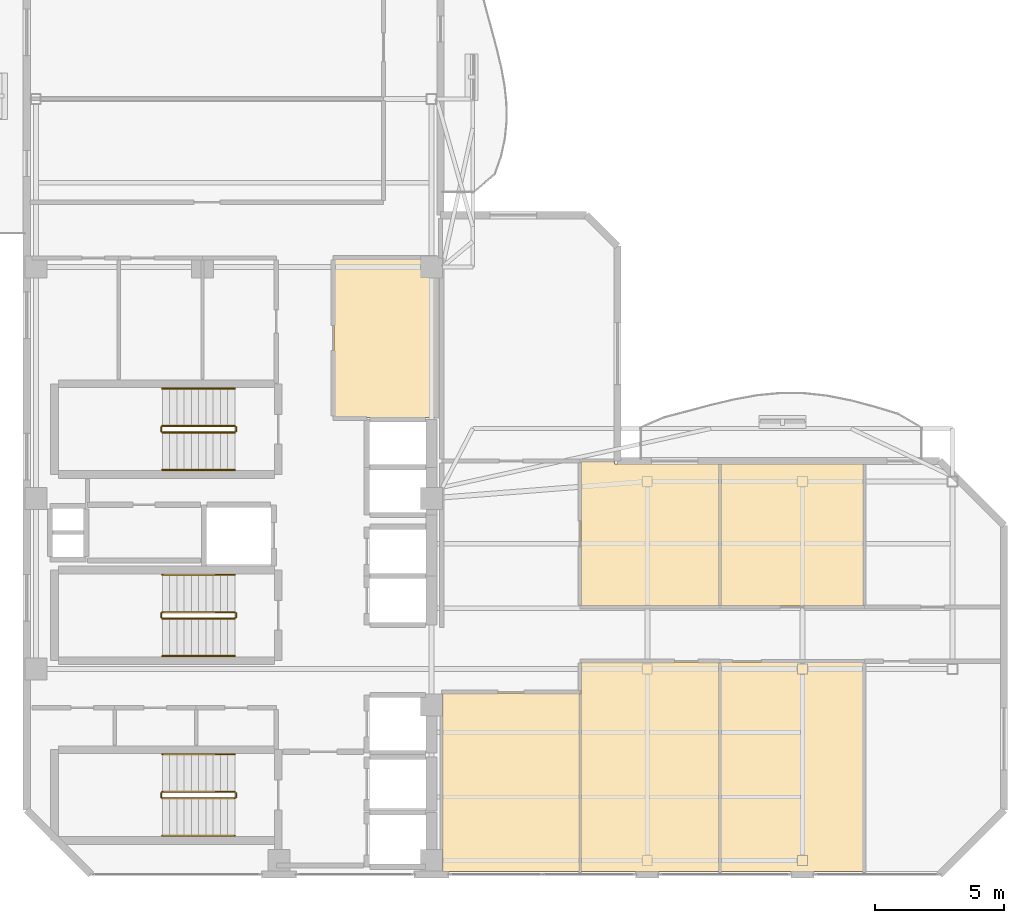
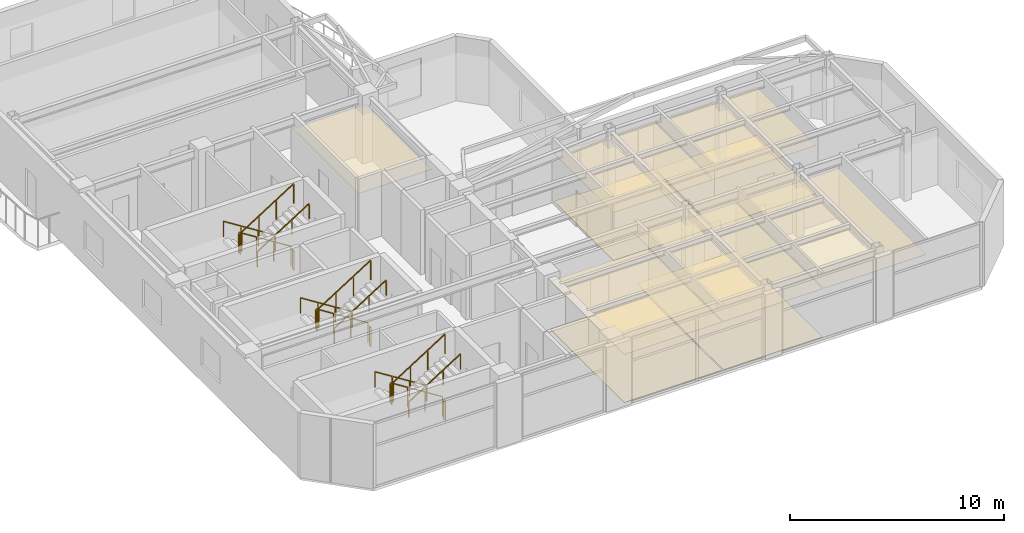
# One storey, part 13 of 14: 18 railings, 10 coverings.
"""IFC4 building model written with IfcOpenShell, lengths in metres."""

from ifc_helpers import new_model, si_unit, direction, frame, origin, origin_2d, place, context, subcontext, project, spatial, polyline, rectangle, outline, extrude, material, layer, layer_set, type_object, element, save


model = new_model("IFC4")

# Units and contexts
model_context = context("Model", 3, precision=1e-05, world=origin(), true_north=direction((0.0, 1.0)))
body_context = subcontext(model_context, "Body", "Model", "MODEL_VIEW")
ifc_project = project(units=[si_unit("LENGTHUNIT", "METRE"), si_unit("AREAUNIT", "SQUARE_METRE"), si_unit("VOLUMEUNIT", "CUBIC_METRE"), si_unit("PLANEANGLEUNIT", "RADIAN"), si_unit("MASSUNIT", "GRAM", prefix="KILO")], contexts=[model_context])

# Site, building, storey
site_placement = place(None, origin())
site = spatial("IfcSite", under=ifc_project, at=site_placement, CompositionType="ELEMENT")
building_placement = place(site_placement, origin())
building = spatial("IfcBuilding", under=site, at=building_placement, Name="Mawjaban Terraces University", CompositionType="ELEMENT")
storey_placement = place(building_placement, frame((0.0, 0.0, 256.0)))
storey = spatial("IfcBuildingStorey", under=building, at=storey_placement, Name="L62", CompositionType="ELEMENT", Elevation=256.0)

# Coverings
ifc_material_1 = material(Name="Acoustic mineral fibre ceiling tile", Category="masonry")
ifc_layer_1 = layer(ifc_material_1, 0.02001953125)
ifc_layer_set_1 = layer_set([ifc_layer_1], Name="Acoustic mineral fibre ceiling tile")
covering_type_1 = type_object("IfcCoveringType", Name="AcousticMineralCeiling_20", PredefinedType="CEILING", material=ifc_layer_set_1)
covering_1_placement = place(storey_placement, frame((0.0, 0.0, 2.75)))
element("IfcCovering", 1, at=covering_1_placement, inside=storey, type_object=covering_type_1, Name="L62 Graduate Research Collaboration Studio Acoustic Ceiling", PredefinedType="CEILING", context=body_context, shape_type="SweptSolid", body=[
    extrude(outline(polyline([(37.820068359375, 17.679931640625), (37.820068359375, 23.820068359375), (33.8798828125, 23.820068359375), (33.8798828125, 17.679931640625), (37.820068359375, 17.679931640625)])), origin(), (0.0, 0.0, 1.0), 0.02001953125),
])
covering_2_placement = place(storey_placement, frame((0.0, 0.0, 2.75)))
element("IfcCovering", 2, at=covering_2_placement, inside=storey, type_object=covering_type_1, Name="L62 Classroom 1 Acoustic Ceiling", PredefinedType="CEILING", context=body_context, shape_type="SweptSolid", body=[
    extrude(outline(polyline([(38.080078125, 7.02001953125), (38.080078125, 0.114990234375), (43.3701171875, 0.114990234375), (43.3701171875, 7.02001953125), (38.080078125, 7.02001953125)])), origin(), (0.0, 0.0, 1.0), 0.02001953125),
])
covering_3_placement = place(storey_placement, frame((0.0, 0.0, 2.75)))
element("IfcCovering", 3, at=covering_3_placement, inside=storey, type_object=covering_type_1, Name="L62 Seminar Room 2 Acoustic Ceiling", PredefinedType="CEILING", context=body_context, shape_type="SweptSolid", body=[
    extrude(outline(polyline([(43.429931640625, 0.114990234375), (48.781982421875, 0.114990234375), (48.781982421875, 8.219970703125), (43.429931640625, 8.219970703125), (43.429931640625, 0.114990234375)])), origin(), (0.0, 0.0, 1.0), 0.02001953125),
])
covering_4_placement = place(storey_placement, frame((0.0, 0.0, 2.75)))
element("IfcCovering", 4, at=covering_4_placement, inside=storey, type_object=covering_type_1, Name="L62 Classroom 3 Acoustic Ceiling", PredefinedType="CEILING", context=body_context, shape_type="SweptSolid", body=[
    extrude(outline(polyline([(48.781982421875, 15.885009765625), (44.72509765625, 15.885009765625), (44.72509765625, 15.969970703125), (43.429931640625, 15.969970703125), (43.429931640625, 10.3798828125), (48.781982421875, 10.3798828125), (48.781982421875, 15.885009765625)])), origin(), (0.0, 0.0, 1.0), 0.02001953125),
])
covering_5_placement = place(storey_placement, frame((0.0, 0.0, 2.75)))
element("IfcCovering", 5, at=covering_5_placement, inside=storey, type_object=covering_type_1, Name="L62 Teaching Laboratory 4 Acoustic Ceiling", PredefinedType="CEILING", context=body_context, shape_type="SweptSolid", body=[
    extrude(outline(polyline([(48.842041015625, 0.114990234375), (54.35791015625, 0.114990234375), (54.35791015625, 8.219970703125), (48.842041015625, 8.219970703125), (48.842041015625, 0.114990234375)])), origin(), (0.0, 0.0, 1.0), 0.02001953125),
])
covering_6_placement = place(storey_placement, frame((0.0, 0.0, 2.75)))
element("IfcCovering", 6, at=covering_6_placement, inside=storey, type_object=covering_type_1, Name="L62 Seminar Room 5 Acoustic Ceiling", PredefinedType="CEILING", context=body_context, shape_type="SweptSolid", body=[
    extrude(outline(polyline([(54.35791015625, 15.885009765625), (48.842041015625, 15.885009765625), (48.842041015625, 10.3798828125), (54.35791015625, 10.3798828125), (54.35791015625, 15.885009765625)])), origin(), (0.0, 0.0, 1.0), 0.02001953125),
])

# Railings
ifc_material_2 = material(Name="Brushed stainless steel 316", Category="steel")
railing_type_1 = type_object("IfcRailingType", Name="StairWallHandrail_900", PredefinedType="HANDRAIL", material=ifc_material_2)
railing_1_placement = place(storey_placement, frame((30.050048828125, 4.64990234375, 0.17724609375)))
element("IfcRailing", 7, at=railing_1_placement, inside=storey, type_object=railing_type_1, Name="L62 ST-1 stair handrail 1", PredefinedType="HANDRAIL", context=body_context, shape_type="SweptSolid", body=[
    extrude(rectangle(XDim=0.048095703125, YDim=0.048095703125, at=origin_2d()), frame((0.0, 0.0, 0.8759765625), z_axis=(-0.844908973607, 0.0, 0.534910110503), x_axis=(0.0, -1.0, 0.0)), (0.0, 0.0, 1.0), 3.31396484375),
    extrude(rectangle(XDim=0.0419921875, YDim=0.0419921875, at=origin_2d()), origin(), (0.0, 0.0, 1.0), 0.851806640625),
    extrude(rectangle(XDim=0.0419921875, YDim=0.0419921875, at=origin_2d()), frame((-0.933349609375, 0.0, 0.5908203125)), (0.0, 0.0, 1.0), 0.851806640625),
    extrude(rectangle(XDim=0.0419921875, YDim=0.0419921875, at=origin_2d()), frame((-1.86669921875, 0.0, 1.181884765625)), (0.0, 0.0, 1.0), 0.851806640625),
    extrude(rectangle(XDim=0.0419921875, YDim=0.0419921875, at=origin_2d()), frame((-2.800048828125, 0.0, 1.772705078125)), (0.0, 0.0, 1.0), 0.851806640625),
])
railing_2_placement = place(storey_placement, frame((27.25, 1.5, 2.127197265625)))
element("IfcRailing", 8, at=railing_2_placement, inside=storey, type_object=railing_type_1, Name="L62 ST-1 stair handrail 2", PredefinedType="HANDRAIL", context=body_context, shape_type="SweptSolid", body=[
    extrude(rectangle(XDim=0.048095703125, YDim=0.048095703125, at=origin_2d()), frame((0.0, 0.0, 0.8759765625), z_axis=(0.844908973607, 0.0, 0.534910110503), x_axis=(0.0, 1.0, 0.0)), (0.0, 0.0, 1.0), 3.31396484375),
    extrude(rectangle(XDim=0.0419921875, YDim=0.0419921875, at=origin_2d()), origin(), (0.0, 0.0, 1.0), 0.851806640625),
    extrude(rectangle(XDim=0.0419921875, YDim=0.0419921875, at=origin_2d()), frame((0.933349609375, 0.0, 0.5908203125)), (0.0, 0.0, 1.0), 0.851806640625),
    extrude(rectangle(XDim=0.0419921875, YDim=0.0419921875, at=origin_2d()), frame((1.86669921875, 0.0, 1.181884765625)), (0.0, 0.0, 1.0), 0.851806640625),
    extrude(rectangle(XDim=0.0419921875, YDim=0.0419921875, at=origin_2d()), frame((2.800048828125, 0.0, 1.772705078125)), (0.0, 0.0, 1.0), 0.851806640625),
])
railing_3_placement = place(storey_placement, frame((30.050048828125, 18.800048828125, 0.17724609375)))
element("IfcRailing", 9, at=railing_3_placement, inside=storey, type_object=railing_type_1, Name="L62 ST-2 stair handrail 1", PredefinedType="HANDRAIL", context=body_context, shape_type="SweptSolid", body=[
    extrude(rectangle(XDim=0.048095703125, YDim=0.048095703125, at=origin_2d()), frame((0.0, 0.0, 0.8759765625), z_axis=(-0.844908973607, 0.0, 0.534910110503), x_axis=(0.0, -1.0, 0.0)), (0.0, 0.0, 1.0), 3.31396484375),
    extrude(rectangle(XDim=0.0419921875, YDim=0.0419921875, at=origin_2d()), origin(), (0.0, 0.0, 1.0), 0.851806640625),
    extrude(rectangle(XDim=0.0419921875, YDim=0.0419921875, at=origin_2d()), frame((-0.933349609375, 0.0, 0.5908203125)), (0.0, 0.0, 1.0), 0.851806640625),
    extrude(rectangle(XDim=0.0419921875, YDim=0.0419921875, at=origin_2d()), frame((-1.86669921875, 0.0, 1.181884765625)), (0.0, 0.0, 1.0), 0.851806640625),
    extrude(rectangle(XDim=0.0419921875, YDim=0.0419921875, at=origin_2d()), frame((-2.800048828125, 0.0, 1.772705078125)), (0.0, 0.0, 1.0), 0.851806640625),
])
railing_4_placement = place(storey_placement, frame((27.25, 15.64990234375, 2.127197265625)))
element("IfcRailing", 10, at=railing_4_placement, inside=storey, type_object=railing_type_1, Name="L62 ST-2 stair handrail 2", PredefinedType="HANDRAIL", context=body_context, shape_type="SweptSolid", body=[
    extrude(rectangle(XDim=0.048095703125, YDim=0.048095703125, at=origin_2d()), frame((0.0, 0.0, 0.8759765625), z_axis=(0.844908973607, 0.0, 0.534910110503), x_axis=(0.0, 1.0, 0.0)), (0.0, 0.0, 1.0), 3.31396484375),
    extrude(rectangle(XDim=0.0419921875, YDim=0.0419921875, at=origin_2d()), origin(), (0.0, 0.0, 1.0), 0.851806640625),
    extrude(rectangle(XDim=0.0419921875, YDim=0.0419921875, at=origin_2d()), frame((0.933349609375, 0.0, 0.5908203125)), (0.0, 0.0, 1.0), 0.851806640625),
    extrude(rectangle(XDim=0.0419921875, YDim=0.0419921875, at=origin_2d()), frame((1.86669921875, 0.0, 1.181884765625)), (0.0, 0.0, 1.0), 0.851806640625),
    extrude(rectangle(XDim=0.0419921875, YDim=0.0419921875, at=origin_2d()), frame((2.800048828125, 0.0, 1.772705078125)), (0.0, 0.0, 1.0), 0.851806640625),
])
railing_5_placement = place(storey_placement, frame((30.050048828125, 11.60009765625, 0.17724609375)))
element("IfcRailing", 11, at=railing_5_placement, inside=storey, type_object=railing_type_1, Name="L62 ST-3 stair handrail 1", PredefinedType="HANDRAIL", context=body_context, shape_type="SweptSolid", body=[
    extrude(rectangle(XDim=0.048095703125, YDim=0.048095703125, at=origin_2d()), frame((0.0, 0.0, 0.8759765625), z_axis=(-0.844908973607, 0.0, 0.534910110503), x_axis=(0.0, -1.0, 0.0)), (0.0, 0.0, 1.0), 3.31396484375),
    extrude(rectangle(XDim=0.0419921875, YDim=0.0419921875, at=origin_2d()), origin(), (0.0, 0.0, 1.0), 0.851806640625),
    extrude(rectangle(XDim=0.0419921875, YDim=0.0419921875, at=origin_2d()), frame((-0.933349609375, 0.0, 0.5908203125)), (0.0, 0.0, 1.0), 0.851806640625),
    extrude(rectangle(XDim=0.0419921875, YDim=0.0419921875, at=origin_2d()), frame((-1.86669921875, 0.0, 1.181884765625)), (0.0, 0.0, 1.0), 0.851806640625),
    extrude(rectangle(XDim=0.0419921875, YDim=0.0419921875, at=origin_2d()), frame((-2.800048828125, 0.0, 1.772705078125)), (0.0, 0.0, 1.0), 0.851806640625),
])
railing_6_placement = place(storey_placement, frame((27.25, 8.449951171875, 2.127197265625)))
element("IfcRailing", 12, at=railing_6_placement, inside=storey, type_object=railing_type_1, Name="L62 ST-3 stair handrail 2", PredefinedType="HANDRAIL", context=body_context, shape_type="SweptSolid", body=[
    extrude(rectangle(XDim=0.048095703125, YDim=0.048095703125, at=origin_2d()), frame((0.0, 0.0, 0.8759765625), z_axis=(0.844908973607, 0.0, 0.534910110503), x_axis=(0.0, 1.0, 0.0)), (0.0, 0.0, 1.0), 3.31396484375),
    extrude(rectangle(XDim=0.0419921875, YDim=0.0419921875, at=origin_2d()), origin(), (0.0, 0.0, 1.0), 0.851806640625),
    extrude(rectangle(XDim=0.0419921875, YDim=0.0419921875, at=origin_2d()), frame((0.933349609375, 0.0, 0.5908203125)), (0.0, 0.0, 1.0), 0.851806640625),
    extrude(rectangle(XDim=0.0419921875, YDim=0.0419921875, at=origin_2d()), frame((1.86669921875, 0.0, 1.181884765625)), (0.0, 0.0, 1.0), 0.851806640625),
    extrude(rectangle(XDim=0.0419921875, YDim=0.0419921875, at=origin_2d()), frame((2.800048828125, 0.0, 1.772705078125)), (0.0, 0.0, 1.0), 0.851806640625),
])
ifc_material_3 = material(Name="Galvanised painted steel S355", Category="steel")
railing_type_2 = type_object("IfcRailingType", Name="StairWellGuard_1150", PredefinedType="BALUSTRADE", material=ifc_material_3)
railing_7_placement = place(storey_placement, frame((30.050048828125, 3.199951171875, 0.17724609375)))
element("IfcRailing", 13, at=railing_7_placement, inside=storey, type_object=railing_type_2, Name="L62 ST-1 stair guard 1", PredefinedType="BALUSTRADE", context=body_context, shape_type="SweptSolid", body=[
    extrude(rectangle(XDim=0.048095703125, YDim=0.048095703125, at=origin_2d()), frame((0.0, 0.0, 1.1259765625), z_axis=(-0.844908973607, 0.0, 0.534910110503), x_axis=(0.0, -1.0, 0.0)), (0.0, 0.0, 1.0), 3.31396484375),
    extrude(rectangle(XDim=0.0419921875, YDim=0.0419921875, at=origin_2d()), origin(), (0.0, 0.0, 1.0), 1.101806640625),
    extrude(rectangle(XDim=0.0419921875, YDim=0.0419921875, at=origin_2d()), frame((-0.933349609375, 0.0, 0.5908203125)), (0.0, 0.0, 1.0), 1.101806640625),
    extrude(rectangle(XDim=0.0419921875, YDim=0.0419921875, at=origin_2d()), frame((-1.86669921875, 0.0, 1.181884765625)), (0.0, 0.0, 1.0), 1.101806640625),
    extrude(rectangle(XDim=0.0419921875, YDim=0.0419921875, at=origin_2d()), frame((-2.800048828125, 0.0, 1.772705078125)), (0.0, 0.0, 1.0), 1.101806640625),
])
railing_8_placement = place(storey_placement, frame((27.199951171875, 3.14990234375, 1.949951171875)))
element("IfcRailing", 14, at=railing_8_placement, inside=storey, type_object=railing_type_2, Name="L62 ST-1 stair guard 2", PredefinedType="BALUSTRADE", context=body_context, shape_type="SweptSolid", body=[
    extrude(rectangle(XDim=0.048095703125, YDim=0.048095703125, at=origin_2d()), frame((0.0, 0.0, 1.1259765625), z_axis=(0.0, -1.0, 0.0), x_axis=(1.0, 0.0, 0.0)), (0.0, 0.0, 1.0), 0.14990234375),
    extrude(rectangle(XDim=0.0419921875, YDim=0.0419921875, at=origin_2d()), origin(), (0.0, 0.0, 1.0), 1.101806640625),
    extrude(rectangle(XDim=0.0419921875, YDim=0.0419921875, at=origin_2d()), frame((0.0, -0.14990234375, 0.0)), (0.0, 0.0, 1.0), 1.101806640625),
])
railing_9_placement = place(storey_placement, frame((27.25, 2.949951171875, 2.127197265625)))
element("IfcRailing", 15, at=railing_9_placement, inside=storey, type_object=railing_type_2, Name="L62 ST-1 stair guard 3", PredefinedType="BALUSTRADE", context=body_context, shape_type="SweptSolid", body=[
    extrude(rectangle(XDim=0.048095703125, YDim=0.048095703125, at=origin_2d()), frame((0.0, 0.0, 1.1259765625), z_axis=(0.844908973607, 0.0, 0.534910110503), x_axis=(0.0, 1.0, 0.0)), (0.0, 0.0, 1.0), 3.31396484375),
    extrude(rectangle(XDim=0.0419921875, YDim=0.0419921875, at=origin_2d()), origin(), (0.0, 0.0, 1.0), 1.101806640625),
    extrude(rectangle(XDim=0.0419921875, YDim=0.0419921875, at=origin_2d()), frame((0.933349609375, 0.0, 0.5908203125)), (0.0, 0.0, 1.0), 1.101806640625),
    extrude(rectangle(XDim=0.0419921875, YDim=0.0419921875, at=origin_2d()), frame((1.86669921875, 0.0, 1.181884765625)), (0.0, 0.0, 1.0), 1.101806640625),
    extrude(rectangle(XDim=0.0419921875, YDim=0.0419921875, at=origin_2d()), frame((2.800048828125, 0.0, 1.772705078125)), (0.0, 0.0, 1.0), 1.101806640625),
])
railing_10_placement = place(storey_placement, frame((30.10009765625, 3.14990234375, 0.0)))
element("IfcRailing", 16, at=railing_10_placement, inside=storey, type_object=railing_type_2, Name="L62 ST-1 stair guard 4", PredefinedType="BALUSTRADE", context=body_context, shape_type="SweptSolid", body=[
    extrude(rectangle(XDim=0.048095703125, YDim=0.048095703125, at=origin_2d()), frame((0.0, 0.0, 1.1259765625), z_axis=(0.0, -1.0, 0.0), x_axis=(1.0, 0.0, 0.0)), (0.0, 0.0, 1.0), 0.14990234375),
    extrude(rectangle(XDim=0.0419921875, YDim=0.0419921875, at=origin_2d()), origin(), (0.0, 0.0, 1.0), 1.101806640625),
    extrude(rectangle(XDim=0.0419921875, YDim=0.0419921875, at=origin_2d()), frame((0.0, -0.14990234375, 0.0)), (0.0, 0.0, 1.0), 1.101806640625),
])
railing_11_placement = place(storey_placement, frame((30.050048828125, 17.35009765625, 0.17724609375)))
element("IfcRailing", 17, at=railing_11_placement, inside=storey, type_object=railing_type_2, Name="L62 ST-2 stair guard 1", PredefinedType="BALUSTRADE", context=body_context, shape_type="SweptSolid", body=[
    extrude(rectangle(XDim=0.048095703125, YDim=0.048095703125, at=origin_2d()), frame((0.0, 0.0, 1.1259765625), z_axis=(-0.844908973607, 0.0, 0.534910110503), x_axis=(0.0, -1.0, 0.0)), (0.0, 0.0, 1.0), 3.31396484375),
    extrude(rectangle(XDim=0.0419921875, YDim=0.0419921875, at=origin_2d()), origin(), (0.0, 0.0, 1.0), 1.101806640625),
    extrude(rectangle(XDim=0.0419921875, YDim=0.0419921875, at=origin_2d()), frame((-0.933349609375, 0.0, 0.5908203125)), (0.0, 0.0, 1.0), 1.101806640625),
    extrude(rectangle(XDim=0.0419921875, YDim=0.0419921875, at=origin_2d()), frame((-1.86669921875, 0.0, 1.181884765625)), (0.0, 0.0, 1.0), 1.101806640625),
    extrude(rectangle(XDim=0.0419921875, YDim=0.0419921875, at=origin_2d()), frame((-2.800048828125, 0.0, 1.772705078125)), (0.0, 0.0, 1.0), 1.101806640625),
])
railing_12_placement = place(storey_placement, frame((27.199951171875, 17.300048828125, 1.949951171875)))
element("IfcRailing", 18, at=railing_12_placement, inside=storey, type_object=railing_type_2, Name="L62 ST-2 stair guard 2", PredefinedType="BALUSTRADE", context=body_context, shape_type="SweptSolid", body=[
    extrude(rectangle(XDim=0.048095703125, YDim=0.048095703125, at=origin_2d()), frame((0.0, 0.0, 1.1259765625), z_axis=(0.0, -1.0, 0.0), x_axis=(1.0, 0.0, 0.0)), (0.0, 0.0, 1.0), 0.150146484375),
    extrude(rectangle(XDim=0.0419921875, YDim=0.0419921875, at=origin_2d()), origin(), (0.0, 0.0, 1.0), 1.101806640625),
    extrude(rectangle(XDim=0.0419921875, YDim=0.0419921875, at=origin_2d()), frame((0.0, -0.150146484375, 0.0)), (0.0, 0.0, 1.0), 1.101806640625),
])
railing_13_placement = place(storey_placement, frame((27.25, 17.10009765625, 2.127197265625)))
element("IfcRailing", 19, at=railing_13_placement, inside=storey, type_object=railing_type_2, Name="L62 ST-2 stair guard 3", PredefinedType="BALUSTRADE", context=body_context, shape_type="SweptSolid", body=[
    extrude(rectangle(XDim=0.048095703125, YDim=0.048095703125, at=origin_2d()), frame((0.0, 0.0, 1.1259765625), z_axis=(0.844908973607, 0.0, 0.534910110503), x_axis=(0.0, 1.0, 0.0)), (0.0, 0.0, 1.0), 3.31396484375),
    extrude(rectangle(XDim=0.0419921875, YDim=0.0419921875, at=origin_2d()), origin(), (0.0, 0.0, 1.0), 1.101806640625),
    extrude(rectangle(XDim=0.0419921875, YDim=0.0419921875, at=origin_2d()), frame((0.933349609375, 0.0, 0.5908203125)), (0.0, 0.0, 1.0), 1.101806640625),
    extrude(rectangle(XDim=0.0419921875, YDim=0.0419921875, at=origin_2d()), frame((1.86669921875, 0.0, 1.181884765625)), (0.0, 0.0, 1.0), 1.101806640625),
    extrude(rectangle(XDim=0.0419921875, YDim=0.0419921875, at=origin_2d()), frame((2.800048828125, 0.0, 1.772705078125)), (0.0, 0.0, 1.0), 1.101806640625),
])
railing_14_placement = place(storey_placement, frame((30.10009765625, 17.300048828125, 0.0)))
element("IfcRailing", 20, at=railing_14_placement, inside=storey, type_object=railing_type_2, Name="L62 ST-2 stair guard 4", PredefinedType="BALUSTRADE", context=body_context, shape_type="SweptSolid", body=[
    extrude(rectangle(XDim=0.048095703125, YDim=0.048095703125, at=origin_2d()), frame((0.0, 0.0, 1.1259765625), z_axis=(0.0, -1.0, 0.0), x_axis=(1.0, 0.0, 0.0)), (0.0, 0.0, 1.0), 0.150146484375),
    extrude(rectangle(XDim=0.0419921875, YDim=0.0419921875, at=origin_2d()), origin(), (0.0, 0.0, 1.0), 1.101806640625),
    extrude(rectangle(XDim=0.0419921875, YDim=0.0419921875, at=origin_2d()), frame((0.0, -0.150146484375, 0.0)), (0.0, 0.0, 1.0), 1.101806640625),
])
railing_15_placement = place(storey_placement, frame((30.050048828125, 10.14990234375, 0.17724609375)))
element("IfcRailing", 21, at=railing_15_placement, inside=storey, type_object=railing_type_2, Name="L62 ST-3 stair guard 1", PredefinedType="BALUSTRADE", context=body_context, shape_type="SweptSolid", body=[
    extrude(rectangle(XDim=0.048095703125, YDim=0.048095703125, at=origin_2d()), frame((0.0, 0.0, 1.1259765625), z_axis=(-0.844908973607, 0.0, 0.534910110503), x_axis=(0.0, -1.0, 0.0)), (0.0, 0.0, 1.0), 3.31396484375),
    extrude(rectangle(XDim=0.0419921875, YDim=0.0419921875, at=origin_2d()), origin(), (0.0, 0.0, 1.0), 1.101806640625),
    extrude(rectangle(XDim=0.0419921875, YDim=0.0419921875, at=origin_2d()), frame((-0.933349609375, 0.0, 0.5908203125)), (0.0, 0.0, 1.0), 1.101806640625),
    extrude(rectangle(XDim=0.0419921875, YDim=0.0419921875, at=origin_2d()), frame((-1.86669921875, 0.0, 1.181884765625)), (0.0, 0.0, 1.0), 1.101806640625),
    extrude(rectangle(XDim=0.0419921875, YDim=0.0419921875, at=origin_2d()), frame((-2.800048828125, 0.0, 1.772705078125)), (0.0, 0.0, 1.0), 1.101806640625),
])
railing_16_placement = place(storey_placement, frame((27.199951171875, 10.10009765625, 1.949951171875)))
element("IfcRailing", 22, at=railing_16_placement, inside=storey, type_object=railing_type_2, Name="L62 ST-3 stair guard 2", PredefinedType="BALUSTRADE", context=body_context, shape_type="SweptSolid", body=[
    extrude(rectangle(XDim=0.048095703125, YDim=0.048095703125, at=origin_2d()), frame((0.0, 0.0, 1.1259765625), z_axis=(0.0, -1.0, 0.0), x_axis=(1.0, 0.0, 0.0)), (0.0, 0.0, 1.0), 0.150146484375),
    extrude(rectangle(XDim=0.0419921875, YDim=0.0419921875, at=origin_2d()), origin(), (0.0, 0.0, 1.0), 1.101806640625),
    extrude(rectangle(XDim=0.0419921875, YDim=0.0419921875, at=origin_2d()), frame((0.0, -0.150146484375, 0.0)), (0.0, 0.0, 1.0), 1.101806640625),
])
railing_17_placement = place(storey_placement, frame((27.25, 9.89990234375, 2.127197265625)))
element("IfcRailing", 23, at=railing_17_placement, inside=storey, type_object=railing_type_2, Name="L62 ST-3 stair guard 3", PredefinedType="BALUSTRADE", context=body_context, shape_type="SweptSolid", body=[
    extrude(rectangle(XDim=0.048095703125, YDim=0.048095703125, at=origin_2d()), frame((0.0, 0.0, 1.1259765625), z_axis=(0.844908973607, 0.0, 0.534910110503), x_axis=(0.0, 1.0, 0.0)), (0.0, 0.0, 1.0), 3.31396484375),
    extrude(rectangle(XDim=0.0419921875, YDim=0.0419921875, at=origin_2d()), origin(), (0.0, 0.0, 1.0), 1.101806640625),
    extrude(rectangle(XDim=0.0419921875, YDim=0.0419921875, at=origin_2d()), frame((0.933349609375, 0.0, 0.5908203125)), (0.0, 0.0, 1.0), 1.101806640625),
    extrude(rectangle(XDim=0.0419921875, YDim=0.0419921875, at=origin_2d()), frame((1.86669921875, 0.0, 1.181884765625)), (0.0, 0.0, 1.0), 1.101806640625),
    extrude(rectangle(XDim=0.0419921875, YDim=0.0419921875, at=origin_2d()), frame((2.800048828125, 0.0, 1.772705078125)), (0.0, 0.0, 1.0), 1.101806640625),
])
railing_18_placement = place(storey_placement, frame((30.10009765625, 10.10009765625, 0.0)))
element("IfcRailing", 24, at=railing_18_placement, inside=storey, type_object=railing_type_2, Name="L62 ST-3 stair guard 4", PredefinedType="BALUSTRADE", context=body_context, shape_type="SweptSolid", body=[
    extrude(rectangle(XDim=0.048095703125, YDim=0.048095703125, at=origin_2d()), frame((0.0, 0.0, 1.1259765625), z_axis=(0.0, -1.0, 0.0), x_axis=(1.0, 0.0, 0.0)), (0.0, 0.0, 1.0), 0.150146484375),
    extrude(rectangle(XDim=0.0419921875, YDim=0.0419921875, at=origin_2d()), origin(), (0.0, 0.0, 1.0), 1.101806640625),
    extrude(rectangle(XDim=0.0419921875, YDim=0.0419921875, at=origin_2d()), frame((0.0, -0.150146484375, 0.0)), (0.0, 0.0, 1.0), 1.101806640625),
])

# Coverings
ifc_material_4 = material(Name="Polished Hijazi granite terrazzo flooring", Category="masonry")
ifc_layer_2 = layer(ifc_material_4, 0.02490234375)
ifc_layer_set_2 = layer_set([ifc_layer_2], Name="Polished Hijazi granite terrazzo flooring")
covering_type_2 = type_object("IfcCoveringType", Name="TerrazzoConcourseFlooring_25", PredefinedType="FLOORING", material=ifc_layer_set_2)
covering_7_placement = place(storey_placement, origin())
element("IfcCovering", 25, at=covering_7_placement, inside=storey, type_object=covering_type_2, Name="L62 Classroom 1 Terrazzo Flooring", PredefinedType="FLOORING", context=body_context, shape_type="SweptSolid", body=[
    extrude(outline(polyline([(38.080078125, 7.02001953125), (38.080078125, 0.114990234375), (43.3701171875, 0.114990234375), (43.3701171875, 7.02001953125), (38.080078125, 7.02001953125)])), origin(), (0.0, 0.0, 1.0), 0.02490234375),
])
covering_8_placement = place(storey_placement, origin())
element("IfcCovering", 26, at=covering_8_placement, inside=storey, type_object=covering_type_2, Name="L62 Seminar Room 2 Terrazzo Flooring", PredefinedType="FLOORING", context=body_context, shape_type="SweptSolid", body=[
    extrude(outline(polyline([(43.429931640625, 0.114990234375), (48.781982421875, 0.114990234375), (48.781982421875, 8.219970703125), (43.429931640625, 8.219970703125), (43.429931640625, 0.114990234375)])), origin(), (0.0, 0.0, 1.0), 0.02490234375),
])
covering_9_placement = place(storey_placement, origin())
element("IfcCovering", 27, at=covering_9_placement, inside=storey, type_object=covering_type_2, Name="L62 Classroom 3 Terrazzo Flooring", PredefinedType="FLOORING", context=body_context, shape_type="SweptSolid", body=[
    extrude(outline(polyline([(48.781982421875, 15.885009765625), (44.72509765625, 15.885009765625), (44.72509765625, 15.969970703125), (43.429931640625, 15.969970703125), (43.429931640625, 10.3798828125), (48.781982421875, 10.3798828125), (48.781982421875, 15.885009765625)])), origin(), (0.0, 0.0, 1.0), 0.02490234375),
])
covering_10_placement = place(storey_placement, origin())
element("IfcCovering", 28, at=covering_10_placement, inside=storey, type_object=covering_type_2, Name="L62 Seminar Room 5 Terrazzo Flooring", PredefinedType="FLOORING", context=body_context, shape_type="SweptSolid", body=[
    extrude(outline(polyline([(54.35791015625, 15.885009765625), (48.842041015625, 15.885009765625), (48.842041015625, 10.3798828125), (54.35791015625, 10.3798828125), (54.35791015625, 15.885009765625)])), origin(), (0.0, 0.0, 1.0), 0.02490234375),
])

save(model, "model.ifc")
